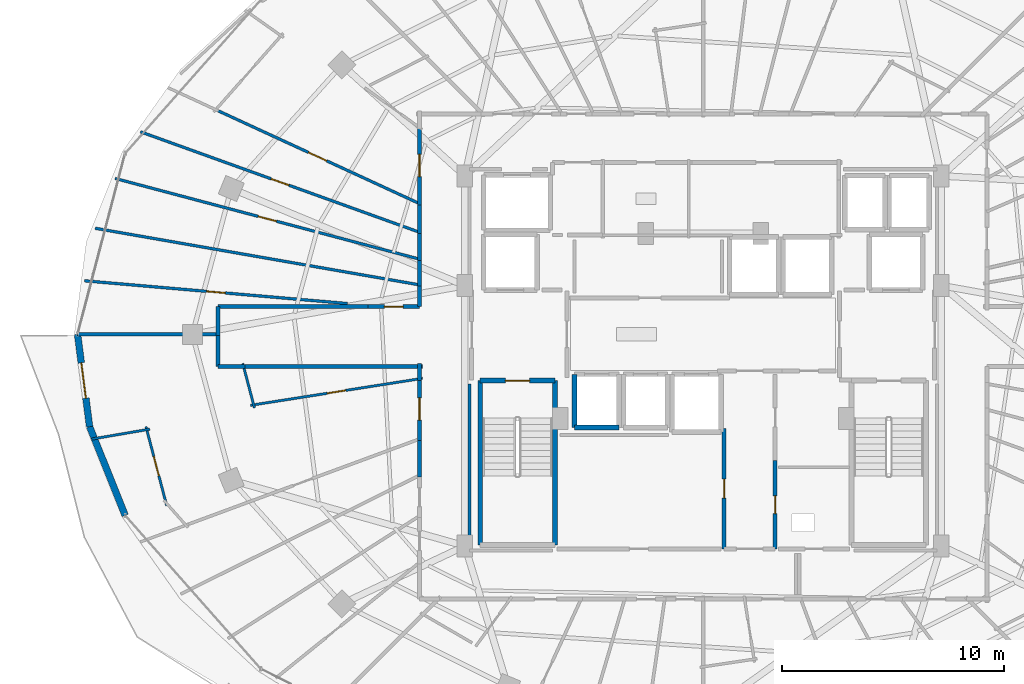
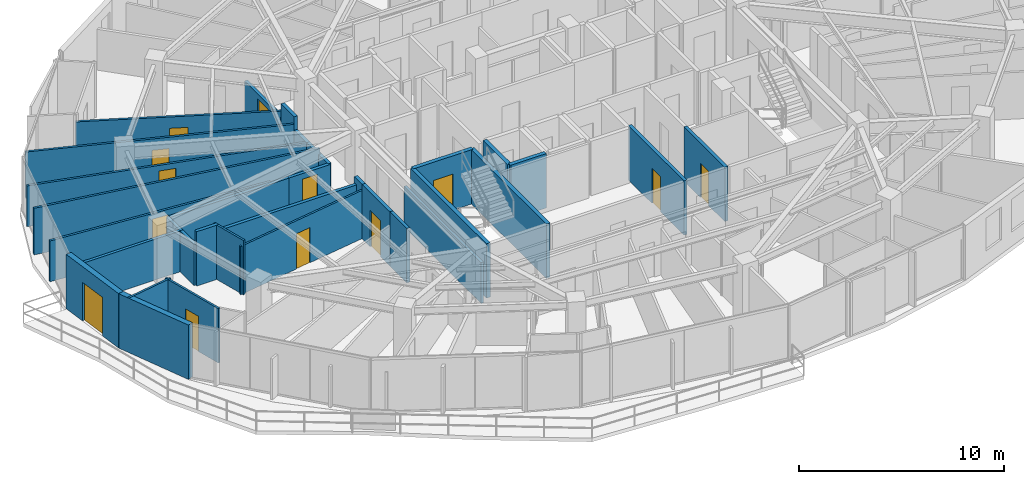
# One storey, part 25 of 34: 34 walls, 13 doors, 13 openings.
"""IFC4 building model written with IfcOpenShell, lengths in metres."""

import ifcopenshell
import ifcopenshell.guid

model = None  # the IFC model being written
_history = None  # IfcOwnerHistory: only IFC2X3 demands one
_inside = {}  # id of a spatial element -> (the spatial element, [elements in it])
_under = {}  # id of a project, library or spatial element -> (it, [spatial elements below it])
_declared = {}  # id of a project -> (the project, [libraries it declares])
_typed = {}  # id of a type object -> (the type object, [elements of that type])
_made_of = {}  # id of a material, layer set ... -> (it, [elements and type objects made of it])


def new_model(schema):
    """Start an empty IFC model of exactly this schema.

    Asked for "IFC4X3", IfcOpenShell would pick the latest addendum, in which some entities
    have other attributes; the version numbers below select the first issue.
    IFC2X3 requires an IfcOwnerHistory on every rooted entity: one is made here for all.
    """
    global model, _history
    if schema == "IFC4X3":
        model = ifcopenshell.file(schema_version=(4, 3, 0, 0))
    else:
        model = ifcopenshell.file(schema=schema)
    _inside.clear()
    _under.clear()
    _declared.clear()
    _typed.clear()
    _made_of.clear()
    _history = None
    if model.schema == "IFC2X3":
        org = make("IfcOrganization", Name="unknown")
        user = make(
            "IfcPersonAndOrganization",
            ThePerson=make("IfcPerson", FamilyName="unknown"),
            TheOrganization=org,
        )
        app = make(
            "IfcApplication",
            ApplicationDeveloper=org,
            Version="unknown",
            ApplicationFullName="unknown",
            ApplicationIdentifier="unknown",
        )
        _history = make(
            "IfcOwnerHistory",
            OwningUser=user,
            OwningApplication=app,
            ChangeAction="ADDED",
            CreationDate=0,
        )
    return model


def make(cls, **values):
    """One entity of the class cls with the attributes given. An attribute that is None is left unset."""
    return model.create_entity(
        cls, **{name: value for name, value in values.items() if value is not None}
    )


def rooted(cls, **values):
    """An entity with a GlobalId (a new one), such as an element, a storey or a relation."""
    return make(cls, GlobalId=ifcopenshell.guid.new(), OwnerHistory=_history, **values)


def si_unit(unit_type, name, prefix=None):
    """IfcSIUnit, for example si_unit("LENGTHUNIT", "METRE", prefix="MILLI")."""
    return make("IfcSIUnit", UnitType=unit_type, Prefix=prefix, Name=name)


def assignment(units):
    """IfcUnitAssignment: the units of a project."""
    return None if units is None else make("IfcUnitAssignment", Units=units)


def point(xyz):
    """IfcCartesianPoint."""
    return None if xyz is None else make("IfcCartesianPoint", Coordinates=xyz)


def direction(xyz):
    """IfcDirection."""
    return None if xyz is None else make("IfcDirection", DirectionRatios=xyz)


def frame(location, z_axis=None, x_axis=None):
    """IfcAxis2Placement3D, a coordinate frame: its origin and axes. An axis left out is left unset."""
    return make(
        "IfcAxis2Placement3D",
        Location=point(location),
        Axis=direction(z_axis),
        RefDirection=direction(x_axis),
    )


def frame_2d(location, x_axis=None):
    """IfcAxis2Placement2D, a coordinate frame in the plane: its origin and x axis."""
    return make(
        "IfcAxis2Placement2D", Location=point(location), RefDirection=direction(x_axis)
    )


def origin():
    """The frame at (0, 0, 0) with its axes left unset."""
    return frame((0.0, 0.0, 0.0))


def place(relative_to, where):
    """IfcLocalPlacement: puts the frame where relative to a parent placement (None: the world)."""
    return make(
        "IfcLocalPlacement", PlacementRelTo=relative_to, RelativePlacement=where
    )


def context(
    kind, dimensions, precision=None, world=None, true_north=None, identifier=None
):
    """IfcGeometricRepresentationContext, for example the 3D "Model" context."""
    return make(
        "IfcGeometricRepresentationContext",
        ContextIdentifier=identifier,
        ContextType=kind,
        CoordinateSpaceDimension=dimensions,
        Precision=precision,
        WorldCoordinateSystem=world,
        TrueNorth=true_north,
    )


def subcontext(parent, identifier, kind, view, scale=None):
    """IfcGeometricRepresentationSubContext, for example "Body" below "Model"."""
    return make(
        "IfcGeometricRepresentationSubContext",
        ContextIdentifier=identifier,
        ContextType=kind,
        ParentContext=parent,
        TargetScale=scale,
        TargetView=view,
    )


def project(units=None, contexts=None):
    """IfcProject with its units and contexts."""
    return rooted(
        "IfcProject",
        Name="project",
        RepresentationContexts=contexts,
        UnitsInContext=assignment(units),
    )


def spatial(cls, under=None, at=None, **own):
    """A site, building, storey or space (cls), placed at a placement, below another one or the project."""
    s = rooted(cls, ObjectPlacement=at, **own)
    if under is not None:
        _under.setdefault(under.id(), (under, []))[1].append(s)
    return s


def profile(cls, at=None, kind="AREA", **sizes):
    """A parametric profile (cls). Its sizes go by their IFC names, for example OverallWidth=200.0."""
    return make(cls, ProfileType=kind, Position=at, **sizes)


def rectangle(**sizes):
    """IfcRectangleProfileDef."""
    return profile("IfcRectangleProfileDef", **sizes)


def extrude(swept, where, along, depth):
    """IfcExtrudedAreaSolid: the profile swept, set in the frame where, extruded along a direction by depth."""
    return make(
        "IfcExtrudedAreaSolid",
        SweptArea=swept,
        Position=where,
        ExtrudedDirection=direction(along),
        Depth=depth,
    )


def shape(context_of_items, identifier, shape_type, items):
    """IfcShapeRepresentation: the items that make up one representation, for example the "Body"."""
    return make(
        "IfcShapeRepresentation",
        ContextOfItems=context_of_items,
        RepresentationIdentifier=identifier,
        RepresentationType=shape_type,
        Items=items,
    )


def material(Name=None, Category=None):
    """IfcMaterial."""
    return make("IfcMaterial", Name=Name, Category=Category)


def layer(
    of_material, thickness, ventilated=None, Name=None, Category=None, Priority=None
):
    """IfcMaterialLayer: one layer of a wall or slab, of a material (None: an air gap)."""
    return make(
        "IfcMaterialLayer",
        Material=of_material,
        LayerThickness=thickness,
        IsVentilated=ventilated,
        Name=Name,
        Category=Category,
        Priority=Priority,
    )


def layer_set(layers, Name=None):
    """IfcMaterialLayerSet."""
    return make("IfcMaterialLayerSet", MaterialLayers=layers, LayerSetName=Name)


def made_of(thing, what):
    """Note that an element or type object is made of a material, layer set ...; save() writes the relation."""
    if what is not None:
        _made_of.setdefault(what.id(), (what, []))[1].append(thing)
    return thing


def type_object(cls, material=None, **own):
    """A type object (cls), such as IfcWallType, which elements share."""
    return made_of(rooted(cls, **own), material)


def element(
    cls,
    number,
    at=None,
    inside=None,
    cuts=None,
    type_object=None,
    material=None,
    context=None,
    identifier="Body",
    shape_type=None,
    held_by="IfcProductDefinitionShape",
    body=None,
    shapes=None,
    **own,
):
    """One element of the class cls, such as IfcWall. Its Tag is "e" and its number.

    at: its placement. inside: the storey or other place that contains it. cuts: it is an
    opening in that element (IfcRelVoidsElement). A single representation is given by context,
    identifier, shape_type and body (its items); several are given by shapes. held_by: the class
    of the entity that holds the representations. save() writes the other relations.
    """
    e = rooted(cls, Tag="e%d" % number, ObjectPlacement=at, **own)
    if body is not None:
        shapes = [shape(context, identifier, shape_type, body)]
    if shapes is not None:
        e.Representation = make(held_by, Representations=shapes)
    if inside is not None:
        _inside.setdefault(inside.id(), (inside, []))[1].append(e)
    if cuts is not None:
        rooted(
            "IfcRelVoidsElement", RelatingBuildingElement=cuts, RelatedOpeningElement=e
        )
    if type_object is not None:
        _typed.setdefault(type_object.id(), (type_object, []))[1].append(e)
    return made_of(e, material)


def fill(opening, filler):
    """IfcRelFillsElement: the door or window that sits in an opening."""
    return rooted(
        "IfcRelFillsElement",
        RelatingOpeningElement=opening,
        RelatedBuildingElement=filler,
    )


def aggregate(whole, parts):
    """IfcRelAggregates: a whole, such as a stair, and the parts it consists of."""
    return rooted("IfcRelAggregates", RelatingObject=whole, RelatedObjects=parts)


def save(model, path):
    """Write the relations noted so far, then the file.

    IfcRelAggregates (storeys below a building ...), IfcRelContainedInSpatialStructure (elements
    in a storey), IfcRelDefinesByType, IfcRelAssociatesMaterial and IfcRelDeclares: one each for
    every whole, place, type object, material and project.
    """
    for whole, parts in _under.values():
        aggregate(whole, parts)
    for where, things in _inside.values():
        rooted(
            "IfcRelContainedInSpatialStructure",
            RelatedElements=things,
            RelatingStructure=where,
        )
    for kind, things in _typed.values():
        rooted("IfcRelDefinesByType", RelatedObjects=things, RelatingType=kind)
    for what, things in _made_of.values():
        rooted("IfcRelAssociatesMaterial", RelatedObjects=things, RelatingMaterial=what)
    for by, libraries in _declared.values():
        rooted("IfcRelDeclares", RelatingContext=by, RelatedDefinitions=libraries)
    model.write(path)


model = new_model("IFC4")

# Units and contexts
model_context = context("Model", 3, precision=1e-05, world=origin(), true_north=direction((0.0, 1.0)))
body_context = subcontext(model_context, "Body", "Model", "MODEL_VIEW")
ifc_project = project(units=[si_unit("LENGTHUNIT", "METRE"), si_unit("AREAUNIT", "SQUARE_METRE"), si_unit("VOLUMEUNIT", "CUBIC_METRE"), si_unit("PLANEANGLEUNIT", "RADIAN"), si_unit("MASSUNIT", "GRAM", prefix="KILO")], contexts=[model_context])

# Site, building, storey
site_placement = place(None, origin())
site = spatial("IfcSite", under=ifc_project, at=site_placement, CompositionType="ELEMENT")
building_placement = place(site_placement, origin())
building = spatial("IfcBuilding", under=site, at=building_placement, Name="Vorneva Point Tower", CompositionType="ELEMENT")
storey_placement = place(building_placement, frame((0.0, 0.0, 182.60009765625)))
storey = spatial("IfcBuildingStorey", under=building, at=storey_placement, Name="L49", CompositionType="ELEMENT", Elevation=182.60009765625)

# Wall, opening, door
ifc_material_1 = material(Name="Precast concrete B50 (C40/50)", Category="concrete")
ifc_layer_1 = layer(ifc_material_1, 0.300048828125)
ifc_layer_set_1 = layer_set([ifc_layer_1], Name="Precast concrete B50 (C40/50)")
wall_type_1 = type_object("IfcWallType", Name="WL-EXT-300", PredefinedType="STANDARD", material=ifc_layer_set_1)
wall_1_placement = place(storey_placement, frame((9.77001953125, 26.0, 0.0), z_axis=(0.0, 0.0, 1.0), x_axis=(0.129147853268, -0.991625348605, 0.0)))
wall_1 = element("IfcWall", 1, at=wall_1_placement, inside=storey, type_object=wall_type_1, Name="L49 Pale-Metal Facade Spandrel Wall 09.1", PredefinedType="STANDARD", context=body_context, shape_type="SweptSolid", body=[
    extrude(rectangle(XDim=4.200439453125, YDim=0.300048828125, at=frame_2d((2.10009765625, 0.0))), origin(), (0.0, 0.0, 1.0), 3.239990234375),
])
opening_1_placement = place(wall_1_placement, frame((1.30029296875, 0.0, 0.0)))
opening_1 = element("IfcOpeningElement", 2, at=opening_1_placement, cuts=wall_1, Name="Opening BD-01", PredefinedType="OPENING", context=body_context, shape_type="SweptSolid", body=[
    extrude(rectangle(XDim=1.60009765625, YDim=2.300048828125, at=frame_2d((0.800048828125, 1.14990234375))), frame((0.0, 0.1650390625, 0.0), z_axis=(0.0, -1.0, 0.0), x_axis=(1.0, 0.0, 0.0)), (0.0, 0.0, 1.0), 0.329833984375),
])
ifc_material_2 = material(Name="Pale anodised aluminium", Category="aluminium")
door_type_1 = type_object("IfcDoorType", Name="DR-BAL-1600", OperationType="SLIDING_TO_LEFT", PredefinedType="DOOR", material=ifc_material_2)
door_1_placement = place(opening_1_placement, origin())
door_1 = element("IfcDoor", 3, at=door_1_placement, inside=storey, type_object=door_type_1, Name="L49 Balcony Terrace Access Door 09", OperationType="SLIDING_TO_LEFT", OverallHeight=2.300048828125, OverallWidth=1.60009765625, PredefinedType="DOOR", context=body_context, shape_type="SweptSolid", body=[
    extrude(rectangle(XDim=1.60009765625, YDim=2.300048828125, at=frame_2d((0.800048828125, 1.14990234375))), frame((0.0, 0.02490234375, 0.0), z_axis=(0.0, -1.0, 0.0), x_axis=(1.0, 0.0, 0.0)), (0.0, 0.0, 1.0), 0.050048828125),
])
fill(opening_1, door_1)

# Wall
wall_2_placement = place(storey_placement, frame((10.3125, 21.834716796875, 0.0), z_axis=(0.0, 0.0, 1.0), x_axis=(0.372268409848, -0.928125116043, 0.0)))
element("IfcWall", 4, at=wall_2_placement, inside=storey, type_object=wall_type_1, Name="L49 Pale-Metal Facade Spandrel Wall 09.2", PredefinedType="STANDARD", context=body_context, shape_type="SweptSolid", body=[
    extrude(rectangle(XDim=4.315185546875, YDim=0.300048828125, at=frame_2d((2.15771484375, 0.0))), origin(), (0.0, 0.0, 1.0), 3.239990234375),
])

# Wall, opening, door
ifc_material_3 = material(Name="Fire-rated acoustic gypsum stud partition", Category="gypsum")
ifc_layer_2 = layer(ifc_material_3, 0.110107421875)
ifc_layer_set_2 = layer_set([ifc_layer_2], Name="Fire-rated acoustic gypsum stud partition")
wall_type_2 = type_object("IfcWallType", Name="WL-PART-110", PredefinedType="PARTITIONING", material=ifc_layer_set_2)
wall_3_placement = place(storey_placement, frame((25.33837890625, 24.0146484375, 0.0), z_axis=(0.0, 0.0, 1.0), x_axis=(-0.987940229144, -0.154835731144, 0.0)))
wall_3 = element("IfcWall", 5, at=wall_3_placement, inside=storey, type_object=wall_type_2, Name="L49 Interior Partition 143", PredefinedType="PARTITIONING", context=body_context, shape_type="SweptSolid", body=[
    extrude(rectangle(XDim=7.85546875, YDim=0.110107421875, at=frame_2d((3.927734375, 0.0))), origin(), (0.0, 0.0, 1.0), 2.8740234375),
])
opening_2_placement = place(wall_3_placement, frame((3.502685546875, 0.0, 0.0)))
opening_2 = element("IfcOpeningElement", 6, at=opening_2_placement, cuts=wall_3, Name="Opening ID-02", PredefinedType="OPENING", context=body_context, shape_type="SweptSolid", body=[
    extrude(rectangle(XDim=0.85009765625, YDim=2.10009765625, at=frame_2d((0.425048828125, 1.050048828125))), frame((0.0, 0.06982421875, 0.0), z_axis=(0.0, -1.0, 0.0), x_axis=(1.0, 0.0, 0.0)), (0.0, 0.0, 1.0), 0.139892578125),
])
ifc_material_4 = material(Name="Engineered oak fire-rated door leaf", Category="wood")
door_type_2 = type_object("IfcDoorType", Name="DR-BATH-850", OperationType="NOTDEFINED", PredefinedType="DOOR", material=ifc_material_4)
door_2_placement = place(opening_2_placement, origin())
door_2 = element("IfcDoor", 7, at=door_2_placement, inside=storey, type_object=door_type_2, Name="L49 Door Living and Dining Room L49-05 / Bathroom L49-05", OperationType="SINGLE_SWING_LEFT", OverallHeight=2.10009765625, OverallWidth=0.85009765625, PredefinedType="DOOR", context=body_context, shape_type="SweptSolid", body=[
    extrude(rectangle(XDim=0.85009765625, YDim=2.10009765625, at=frame_2d((0.425048828125, 1.050048828125))), frame((0.0, 0.02490234375, 0.0), z_axis=(0.0, -1.0, 0.0), x_axis=(1.0, 0.0, 0.0)), (0.0, 0.0, 1.0), 0.050048828125),
])
fill(opening_2, door_2)

# Walls
wall_4_placement = place(storey_placement, frame((17.751708984375, 22.6845703125, 0.0), z_axis=(0.0, 0.0, 1.0), x_axis=(-0.254429402158, 0.967091350038, 0.0)))
element("IfcWall", 8, at=wall_4_placement, inside=storey, type_object=wall_type_2, Name="L49 Interior Partition 144", PredefinedType="PARTITIONING", context=body_context, shape_type="SweptSolid", body=[
    extrude(rectangle(XDim=2.06884765625, YDim=0.110107421875, at=frame_2d((1.034423828125, 0.0))), origin(), (0.0, 0.0, 1.0), 3.239990234375),
])
wall_5_placement = place(storey_placement, frame((10.39404296875, 21.271484375, 0.0), z_axis=(0.0, 0.0, 1.0), x_axis=(0.985656128296, 0.168766100722, 0.0)))
element("IfcWall", 9, at=wall_5_placement, inside=storey, type_object=wall_type_2, Name="L49 Interior Partition 145", PredefinedType="PARTITIONING", context=body_context, shape_type="SweptSolid", body=[
    extrude(rectangle(XDim=2.67333984375, YDim=0.110107421875, at=frame_2d((1.336669921875, 0.0))), origin(), (0.0, 0.0, 1.0), 3.239990234375),
])

# Wall, opening, door
wall_6_placement = place(storey_placement, frame((12.85546875, 21.83447265625, 0.0), z_axis=(0.0, 0.0, 1.0), x_axis=(0.254271540361, -0.967132867688, 0.0)))
wall_6 = element("IfcWall", 10, at=wall_6_placement, inside=storey, type_object=wall_type_2, Name="L49 Interior Partition 146", PredefinedType="PARTITIONING", context=body_context, shape_type="SweptSolid", body=[
    extrude(rectangle(XDim=3.68505859375, YDim=0.110107421875, at=frame_2d((1.842529296875, 0.0))), origin(), (0.0, 0.0, 1.0), 3.239990234375),
])
opening_3_placement = place(wall_6_placement, frame((1.392578125, 0.0, 0.0)))
opening_3 = element("IfcOpeningElement", 11, at=opening_3_placement, cuts=wall_6, Name="Opening ID-01", PredefinedType="OPENING", context=body_context, shape_type="SweptSolid", body=[
    extrude(rectangle(XDim=0.89990234375, YDim=2.10009765625, at=frame_2d((0.449951171875, 1.050048828125))), frame((0.0, 0.06982421875, 0.0), z_axis=(0.0, -1.0, 0.0), x_axis=(1.0, 0.0, 0.0)), (0.0, 0.0, 1.0), 0.139892578125),
])
door_type_3 = type_object("IfcDoorType", Name="DR-ROOM-900", OperationType="NOTDEFINED", PredefinedType="DOOR", material=ifc_material_4)
door_3_placement = place(opening_3_placement, origin())
door_3 = element("IfcDoor", 12, at=door_3_placement, inside=storey, type_object=door_type_3, Name="L49 Door Living and Dining Room L49-05 / Kitchen L49-05", OperationType="SINGLE_SWING_RIGHT", OverallHeight=2.10009765625, OverallWidth=0.89990234375, PredefinedType="DOOR", context=body_context, shape_type="SweptSolid", body=[
    extrude(rectangle(XDim=0.89990234375, YDim=2.10009765625, at=frame_2d((0.449951171875, 1.050048828125))), frame((0.0, 0.02490234375, 0.0), z_axis=(0.0, -1.0, 0.0), x_axis=(1.0, 0.0, 0.0)), (0.0, 0.0, 1.0), 0.050048828125),
])
fill(opening_3, door_3)

ifc_layer_3 = layer(ifc_material_3, 0.125)
ifc_layer_set_3 = layer_set([ifc_layer_3], Name="Fire-rated acoustic gypsum stud partition")
wall_type_3 = type_object("IfcWallType", Name="WL-PART-125", PredefinedType="PARTITIONING", material=ifc_layer_set_3)
wall_7_placement = place(storey_placement, frame((16.006103515625, 36.138916015625, 0.0), z_axis=(0.0, 0.0, 1.0), x_axis=(0.908157621609, -0.41862839645, 0.0)))
wall_7 = element("IfcWall", 13, at=wall_7_placement, inside=storey, type_object=wall_type_3, Name="L49 Interior Partition 136", PredefinedType="PARTITIONING", context=body_context, shape_type="SweptSolid", body=[
    extrude(rectangle(XDim=10.12353515625, YDim=0.125, at=frame_2d((5.061767578125, 0.0))), origin(), (0.0, 0.0, 1.0), 2.77392578125),
])
opening_4_placement = place(wall_7_placement, frame((4.61181640625, 0.0, 0.0)))
opening_4 = element("IfcOpeningElement", 14, at=opening_4_placement, cuts=wall_7, Name="Opening ID-01", PredefinedType="OPENING", context=body_context, shape_type="SweptSolid", body=[
    extrude(rectangle(XDim=0.89990234375, YDim=2.10009765625, at=frame_2d((0.449951171875, 1.050048828125))), frame((0.0, 0.077392578125, 0.0), z_axis=(0.0, -1.0, 0.0), x_axis=(1.0, 0.0, 0.0)), (0.0, 0.0, 1.0), 0.15478515625),
])
door_4_placement = place(opening_4_placement, origin())
door_4 = element("IfcDoor", 15, at=door_4_placement, inside=storey, type_object=door_type_3, Name="L49 Door Living and Dining Room L49-04 / Master Bedroom L49-04.1", OperationType="SINGLE_SWING_RIGHT", OverallHeight=2.10009765625, OverallWidth=0.89990234375, PredefinedType="DOOR", context=body_context, shape_type="SweptSolid", body=[
    extrude(rectangle(XDim=0.89990234375, YDim=2.10009765625, at=frame_2d((0.449951171875, 1.050048828125))), frame((0.0, 0.02490234375, 0.0), z_axis=(0.0, -1.0, 0.0), x_axis=(1.0, 0.0, 0.0)), (0.0, 0.0, 1.0), 0.050048828125),
])
fill(opening_4, door_4)

wall_8_placement = place(storey_placement, frame((12.60888671875, 35.14111328125, 0.0), z_axis=(0.0, 0.0, 1.0), x_axis=(0.940877411069, -0.338747246985, 0.0)))
wall_8 = element("IfcWall", 16, at=wall_8_placement, inside=storey, type_object=wall_type_3, Name="L49 Interior Partition 138", PredefinedType="PARTITIONING", context=body_context, shape_type="SweptSolid", body=[
    extrude(rectangle(XDim=13.38232421875, YDim=0.125, at=frame_2d((6.691162109375, 0.0))), origin(), (0.0, 0.0, 1.0), 2.77392578125),
])
opening_5_placement = place(wall_8_placement, frame((6.26611328125, 0.0, 0.0)))
opening_5 = element("IfcOpeningElement", 17, at=opening_5_placement, cuts=wall_8, Name="Opening ID-02", PredefinedType="OPENING", context=body_context, shape_type="SweptSolid", body=[
    extrude(rectangle(XDim=0.85009765625, YDim=2.10009765625, at=frame_2d((0.425048828125, 1.050048828125))), frame((0.0, 0.077392578125, 0.0), z_axis=(0.0, -1.0, 0.0), x_axis=(1.0, 0.0, 0.0)), (0.0, 0.0, 1.0), 0.15478515625),
])
door_5_placement = place(opening_5_placement, origin())
door_5 = element("IfcDoor", 18, at=door_5_placement, inside=storey, type_object=door_type_2, Name="L49 Access Door Master Bedroom L49-04.1", OperationType="SINGLE_SWING_RIGHT", OverallHeight=2.10009765625, OverallWidth=0.85009765625, PredefinedType="DOOR", context=body_context, shape_type="SweptSolid", body=[
    extrude(rectangle(XDim=0.85009765625, YDim=2.10009765625, at=frame_2d((0.425048828125, 1.050048828125))), frame((0.0, 0.02490234375, 0.0), z_axis=(0.0, -1.0, 0.0), x_axis=(1.0, 0.0, 0.0)), (0.0, 0.0, 1.0), 0.050048828125),
])
fill(opening_5, door_5)

wall_9_placement = place(storey_placement, frame((11.465087890625, 33.035888671875, 0.0), z_axis=(0.0, 0.0, 1.0), x_axis=(0.966598137313, -0.256296782934, 0.0)))
wall_9 = element("IfcWall", 19, at=wall_9_placement, inside=storey, type_object=wall_type_3, Name="L49 Interior Partition 139", PredefinedType="PARTITIONING", context=body_context, shape_type="SweptSolid", body=[
    extrude(rectangle(XDim=14.20947265625, YDim=0.125, at=frame_2d((7.104736328125, 0.0))), origin(), (0.0, 0.0, 1.0), 2.431884765625),
])
opening_6_placement = place(wall_9_placement, frame((6.6796875, 0.0, 0.0)))
opening_6 = element("IfcOpeningElement", 20, at=opening_6_placement, cuts=wall_9, Name="Opening ID-02", PredefinedType="OPENING", context=body_context, shape_type="SweptSolid", body=[
    extrude(rectangle(XDim=0.85009765625, YDim=2.10009765625, at=frame_2d((0.425048828125, 1.050048828125))), frame((0.0, 0.077392578125, 0.0), z_axis=(0.0, -1.0, 0.0), x_axis=(1.0, 0.0, 0.0)), (0.0, 0.0, 1.0), 0.15478515625),
])
door_6_placement = place(opening_6_placement, origin())
door_6 = element("IfcDoor", 21, at=door_6_placement, inside=storey, type_object=door_type_2, Name="L49 Access Door Bedroom L49-04.2", OperationType="SINGLE_SWING_LEFT", OverallHeight=2.10009765625, OverallWidth=0.85009765625, PredefinedType="DOOR", context=body_context, shape_type="SweptSolid", body=[
    extrude(rectangle(XDim=0.85009765625, YDim=2.10009765625, at=frame_2d((0.425048828125, 1.050048828125))), frame((0.0, 0.02490234375, 0.0), z_axis=(0.0, -1.0, 0.0), x_axis=(1.0, 0.0, 0.0)), (0.0, 0.0, 1.0), 0.050048828125),
])
fill(opening_6, door_6)

# Wall
wall_10_placement = place(storey_placement, frame((10.56494140625, 30.7880859375, 0.0), z_axis=(0.0, 0.0, 1.0), x_axis=(0.985109541297, -0.171927867563, 0.0)))
element("IfcWall", 22, at=wall_10_placement, inside=storey, type_object=wall_type_3, Name="L49 Interior Partition 140", PredefinedType="PARTITIONING", context=body_context, shape_type="SweptSolid", body=[
    extrude(rectangle(XDim=14.856201171875, YDim=0.125, at=frame_2d((7.42822265625, 0.0))), origin(), (0.0, 0.0, 1.0), 2.77392578125),
])

# Wall, opening, door
wall_11_placement = place(storey_placement, frame((10.0859375, 28.41796875, 0.0), z_axis=(0.0, 0.0, 1.0), x_axis=(0.996267232338, -0.08632266081, 0.0)))
wall_11 = element("IfcWall", 23, at=wall_11_placement, inside=storey, type_object=wall_type_3, Name="L49 Interior Partition 141", PredefinedType="PARTITIONING", context=body_context, shape_type="SweptSolid", body=[
    extrude(rectangle(XDim=11.90966796875, YDim=0.125, at=frame_2d((5.954833984375, 0.0))), origin(), (0.0, 0.0, 1.0), 2.431884765625),
])
opening_7_placement = place(wall_11_placement, frame((5.52978515625, 0.0, 0.0)))
opening_7 = element("IfcOpeningElement", 24, at=opening_7_placement, cuts=wall_11, Name="Opening ID-02", PredefinedType="OPENING", context=body_context, shape_type="SweptSolid", body=[
    extrude(rectangle(XDim=0.85009765625, YDim=2.10009765625, at=frame_2d((0.425048828125, 1.050048828125))), frame((0.0, 0.077392578125, 0.0), z_axis=(0.0, -1.0, 0.0), x_axis=(1.0, 0.0, 0.0)), (0.0, 0.0, 1.0), 0.15478515625),
])
door_7_placement = place(opening_7_placement, origin())
door_7 = element("IfcDoor", 25, at=door_7_placement, inside=storey, type_object=door_type_2, Name="L49 Access Door Bedroom L49-04.4", OperationType="SINGLE_SWING_RIGHT", OverallHeight=2.10009765625, OverallWidth=0.85009765625, PredefinedType="DOOR", context=body_context, shape_type="SweptSolid", body=[
    extrude(rectangle(XDim=0.85009765625, YDim=2.10009765625, at=frame_2d((0.425048828125, 1.050048828125))), frame((0.0, 0.02490234375, 0.0), z_axis=(0.0, -1.0, 0.0), x_axis=(1.0, 0.0, 0.0)), (0.0, 0.0, 1.0), 0.050048828125),
])
fill(opening_7, door_7)

# Walls
ifc_layer_4 = layer(ifc_material_3, 0.139892578125)
ifc_layer_set_4 = layer_set([ifc_layer_4], Name="Fire-rated acoustic gypsum stud partition")
wall_type_4 = type_object("IfcWallType", Name="WL-PART-140", PredefinedType="PARTITIONING", material=ifc_layer_set_4)
wall_12_placement = place(storey_placement, frame((27.449951171875, 23.75390625, 0.0), z_axis=(0.0, 0.0, 1.0), x_axis=(0.0, -1.0, 0.0)))
element("IfcWall", 26, at=wall_12_placement, inside=storey, type_object=wall_type_4, Name="L49 Interior Closure Partition 204", PredefinedType="PARTITIONING", context=body_context, shape_type="SweptSolid", body=[
    extrude(rectangle(XDim=7.513916015625, YDim=0.139892578125, at=frame_2d((3.7568359375, 0.0))), origin(), (0.0, 0.0, 1.0), 2.431884765625),
])
ifc_layer_5 = layer(ifc_material_3, 0.159912109375)
ifc_layer_set_5 = layer_set([ifc_layer_5], Name="Fire-rated acoustic gypsum stud partition")
wall_type_5 = type_object("IfcWallType", Name="WL-PART-160", PredefinedType="PARTITIONING", material=ifc_layer_set_5)
wall_13_placement = place(storey_placement, frame((9.77099609375, 26.0, 0.0), z_axis=(0.0, 0.0, 1.0), x_axis=(1.0, 0.0, 0.0)))
element("IfcWall", 27, at=wall_13_placement, inside=storey, type_object=wall_type_5, Name="L49 Interior Partition 142", PredefinedType="PARTITIONING", context=body_context, shape_type="SweptSolid", body=[
    extrude(rectangle(XDim=6.3291015625, YDim=0.159912109375, at=frame_2d((3.16455078125, 0.0))), origin(), (0.0, 0.0, 1.0), 2.431884765625),
])

# Wall, opening, door
ifc_material_5 = material(Name="Autoclaved aerated concrete blockwork", Category="masonry")
ifc_layer_6 = layer(ifc_material_5, 0.179931640625)
ifc_layer_set_6 = layer_set([ifc_layer_6], Name="Autoclaved aerated concrete blockwork")
wall_type_6 = type_object("IfcWallType", Name="WL-PART-180", PredefinedType="PARTITIONING", material=ifc_layer_set_6)
wall_14_placement = place(storey_placement, frame((41.25, 16.320068359375, 0.0), z_axis=(0.0, 0.0, 1.0), x_axis=(0.0, 1.0, 0.0)))
wall_14 = element("IfcWall", 28, at=wall_14_placement, inside=storey, type_object=wall_type_6, Name="L49 Interior Partition 013", PredefinedType="PARTITIONING", context=body_context, shape_type="SweptSolid", body=[
    extrude(rectangle(XDim=3.98486328125, YDim=0.179931640625, at=frame_2d((1.992431640625, 0.0))), origin(), (0.0, 0.0, 1.0), 3.239990234375),
])
opening_8_placement = place(wall_14_placement, frame((1.592529296875, 0.0, 0.0)))
opening_8 = element("IfcOpeningElement", 29, at=opening_8_placement, cuts=wall_14, Name="Opening RD-01", PredefinedType="OPENING", context=body_context, shape_type="SweptSolid", body=[
    extrude(rectangle(XDim=0.800048828125, YDim=2.050048828125, at=frame_2d((0.39990234375, 1.02490234375))), frame((0.0, 0.10498046875, 0.0), z_axis=(0.0, -1.0, 0.0), x_axis=(1.0, 0.0, 0.0)), (0.0, 0.0, 1.0), 0.209716796875),
])
ifc_material_6 = material(Name="Fire-rated powder-coated steel", Category="steel")
door_type_4 = type_object("IfcDoorType", Name="DR-RSR-800", OperationType="SINGLE_SWING_LEFT", PredefinedType="DOOR", material=ifc_material_6)
door_8_placement = place(opening_8_placement, origin())
door_8 = element("IfcDoor", 30, at=door_8_placement, inside=storey, type_object=door_type_4, Name="L49 Door Core Service Lobby / Electrical Riser", OperationType="SINGLE_SWING_RIGHT", OverallHeight=2.050048828125, OverallWidth=0.800048828125, PredefinedType="DOOR", context=body_context, shape_type="SweptSolid", body=[
    extrude(rectangle(XDim=0.800048828125, YDim=2.050048828125, at=frame_2d((0.39990234375, 1.02490234375))), frame((0.0, 0.02490234375, 0.0), z_axis=(0.0, -1.0, 0.0), x_axis=(1.0, 0.0, 0.0)), (0.0, 0.0, 1.0), 0.050048828125),
])
fill(opening_8, door_8)

wall_15_placement = place(storey_placement, frame((38.949951171875, 21.7548828125, 0.0), z_axis=(0.0, 0.0, 1.0), x_axis=(0.0, -1.0, 0.0)))
wall_15 = element("IfcWall", 31, at=wall_15_placement, inside=storey, type_object=wall_type_6, Name="L49 Interior Partition 015", PredefinedType="PARTITIONING", context=body_context, shape_type="SweptSolid", body=[
    extrude(rectangle(XDim=5.434814453125, YDim=0.179931640625, at=frame_2d((2.71728515625, 0.0))), origin(), (0.0, 0.0, 1.0), 3.239990234375),
])
opening_9_placement = place(wall_15_placement, frame((2.29248046875, 0.0, 0.0)))
opening_9 = element("IfcOpeningElement", 32, at=opening_9_placement, cuts=wall_15, Name="Opening ID-02", PredefinedType="OPENING", context=body_context, shape_type="SweptSolid", body=[
    extrude(rectangle(XDim=0.85009765625, YDim=2.10009765625, at=frame_2d((0.425048828125, 1.050048828125))), frame((0.0, 0.10498046875, 0.0), z_axis=(0.0, -1.0, 0.0), x_axis=(1.0, 0.0, 0.0)), (0.0, 0.0, 1.0), 0.209716796875),
])
door_9_placement = place(opening_9_placement, origin())
door_9 = element("IfcDoor", 33, at=door_9_placement, inside=storey, type_object=door_type_2, Name="L49 Door Core Service Lobby / Floor Storage Room", OperationType="SINGLE_SWING_RIGHT", OverallHeight=2.10009765625, OverallWidth=0.85009765625, PredefinedType="DOOR", context=body_context, shape_type="SweptSolid", body=[
    extrude(rectangle(XDim=0.85009765625, YDim=2.10009765625, at=frame_2d((0.425048828125, 1.050048828125))), frame((0.0, 0.02490234375, 0.0), z_axis=(0.0, -1.0, 0.0), x_axis=(1.0, 0.0, 0.0)), (0.0, 0.0, 1.0), 0.050048828125),
])
fill(opening_9, door_9)

wall_16_placement = place(storey_placement, frame((25.199951171875, 35.404052734375, 0.0), z_axis=(0.0, 0.0, 1.0), x_axis=(0.0, -1.0, 0.0)))
wall_16 = element("IfcWall", 34, at=wall_16_placement, inside=storey, type_object=wall_type_6, Name="L49 Interior Partition 048", PredefinedType="PARTITIONING", context=body_context, shape_type="SweptSolid", body=[
    extrude(rectangle(XDim=3.56298828125, YDim=0.179931640625, at=frame_2d((1.781494140625, 0.0))), origin(), (0.0, 0.0, 1.0), 2.431884765625),
])
opening_10_placement = place(wall_16_placement, frame((1.281494140625, 0.0, 0.0)))
opening_10 = element("IfcOpeningElement", 35, at=opening_10_placement, cuts=wall_16, Name="Opening UD-01", PredefinedType="OPENING", context=body_context, shape_type="SweptSolid", body=[
    extrude(rectangle(XDim=1.0, YDim=2.14990234375, at=frame_2d((0.5, 1.074951171875))), frame((0.0, 0.10498046875, 0.0), z_axis=(0.0, -1.0, 0.0), x_axis=(1.0, 0.0, 0.0)), (0.0, 0.0, 1.0), 0.209716796875),
])
door_type_5 = type_object("IfcDoorType", Name="DR-UNIT-1000", OperationType="NOTDEFINED", PredefinedType="DOOR", material=ifc_material_4)
door_10_placement = place(opening_10_placement, origin())
door_10 = element("IfcDoor", 36, at=door_10_placement, inside=storey, type_object=door_type_5, Name="L49 Door L49 Circulation Corridor / Living and Dining Room L49-04", OperationType="SINGLE_SWING_RIGHT", OverallHeight=2.14990234375, OverallWidth=1.0, PredefinedType="DOOR", context=body_context, shape_type="SweptSolid", body=[
    extrude(rectangle(XDim=1.0, YDim=2.14990234375, at=frame_2d((0.5, 1.074951171875))), frame((0.0, 0.02490234375, 0.0), z_axis=(0.0, -1.0, 0.0), x_axis=(1.0, 0.0, 0.0)), (0.0, 0.0, 1.0), 0.050048828125),
])
fill(opening_10, door_10)

# Walls
wall_17_placement = place(storey_placement, frame((25.199951171875, 31.841064453125, 0.0), z_axis=(0.0, 0.0, 1.0), x_axis=(0.0, -1.0, 0.0)))
element("IfcWall", 37, at=wall_17_placement, inside=storey, type_object=wall_type_6, Name="L49 Interior Partition 051", PredefinedType="PARTITIONING", context=body_context, shape_type="SweptSolid", body=[
    extrude(rectangle(XDim=1.29296875, YDim=0.179931640625, at=frame_2d((0.646484375, 0.0))), origin(), (0.0, 0.0, 1.0), 3.239990234375),
])
wall_18_placement = place(storey_placement, frame((25.199951171875, 30.548095703125, 0.0), z_axis=(0.0, 0.0, 1.0), x_axis=(0.0, -1.0, 0.0)))
element("IfcWall", 38, at=wall_18_placement, inside=storey, type_object=wall_type_6, Name="L49 Interior Partition 052", PredefinedType="PARTITIONING", context=body_context, shape_type="SweptSolid", body=[
    extrude(rectangle(XDim=1.214111328125, YDim=0.179931640625, at=frame_2d((0.60693359375, 0.0))), origin(), (0.0, 0.0, 1.0), 2.431884765625),
])
wall_19_placement = place(storey_placement, frame((25.199951171875, 29.333984375, 0.0), z_axis=(0.0, 0.0, 1.0), x_axis=(0.0, -1.0, 0.0)))
element("IfcWall", 39, at=wall_19_placement, inside=storey, type_object=wall_type_6, Name="L49 Interior Partition 053", PredefinedType="PARTITIONING", context=body_context, shape_type="SweptSolid", body=[
    extrude(rectangle(XDim=1.159912109375, YDim=0.179931640625, at=frame_2d((0.580078125, 0.0))), origin(), (0.0, 0.0, 1.0), 2.431884765625),
])
wall_20_placement = place(storey_placement, frame((25.199951171875, 28.174072265625, 0.0), z_axis=(0.0, 0.0, 1.0), x_axis=(0.0, -1.0, 0.0)))
element("IfcWall", 40, at=wall_20_placement, inside=storey, type_object=wall_type_6, Name="L49 Interior Partition 054", PredefinedType="PARTITIONING", context=body_context, shape_type="SweptSolid", body=[
    extrude(rectangle(XDim=0.924072265625, YDim=0.179931640625, at=frame_2d((0.4619140625, 0.0))), origin(), (0.0, 0.0, 1.0), 2.431884765625),
])

# Wall, opening, door
wall_21_placement = place(storey_placement, frame((25.199951171875, 27.25, 0.0), z_axis=(0.0, 0.0, 1.0), x_axis=(-1.0, 0.0, 0.0)))
wall_21 = element("IfcWall", 41, at=wall_21_placement, inside=storey, type_object=wall_type_6, Name="L49 Interior Partition 055", PredefinedType="PARTITIONING", context=body_context, shape_type="SweptSolid", body=[
    extrude(rectangle(XDim=2.327880859375, YDim=0.179931640625, at=frame_2d((1.1640625, 0.0))), origin(), (0.0, 0.0, 1.0), 2.431884765625),
])
opening_11_placement = place(wall_21_placement, frame((0.739013671875, 0.0, 0.0)))
opening_11 = element("IfcOpeningElement", 42, at=opening_11_placement, cuts=wall_21, Name="Opening ID-02", PredefinedType="OPENING", context=body_context, shape_type="SweptSolid", body=[
    extrude(rectangle(XDim=0.85009765625, YDim=2.10009765625, at=frame_2d((0.425048828125, 1.050048828125))), frame((0.0, 0.10498046875, 0.0), z_axis=(0.0, -1.0, 0.0), x_axis=(1.0, 0.0, 0.0)), (0.0, 0.0, 1.0), 0.209716796875),
])
door_11_placement = place(opening_11_placement, origin())
door_11 = element("IfcDoor", 43, at=door_11_placement, inside=storey, type_object=door_type_2, Name="L49 Access Door L49 Circulation Corridor", OperationType="SINGLE_SWING_RIGHT", OverallHeight=2.10009765625, OverallWidth=0.85009765625, PredefinedType="DOOR", context=body_context, shape_type="SweptSolid", body=[
    extrude(rectangle(XDim=0.85009765625, YDim=2.10009765625, at=frame_2d((0.425048828125, 1.050048828125))), frame((0.0, 0.02490234375, 0.0), z_axis=(0.0, -1.0, 0.0), x_axis=(1.0, 0.0, 0.0)), (0.0, 0.0, 1.0), 0.050048828125),
])
fill(opening_11, door_11)

# Walls
wall_22_placement = place(storey_placement, frame((16.10009765625, 27.25, 0.0), z_axis=(0.0, 0.0, 1.0), x_axis=(0.0, -1.0, 0.0)))
element("IfcWall", 44, at=wall_22_placement, inside=storey, type_object=wall_type_6, Name="L49 Interior Partition 056", PredefinedType="PARTITIONING", context=body_context, shape_type="SweptSolid", body=[
    extrude(rectangle(XDim=1.31005859375, YDim=0.179931640625, at=frame_2d((0.655029296875, 0.0))), origin(), (0.0, 0.0, 1.0), 2.431884765625),
])
wall_23_placement = place(storey_placement, frame((22.8720703125, 27.25, 0.0), z_axis=(0.0, 0.0, 1.0), x_axis=(-1.0, 0.0, 0.0)))
element("IfcWall", 45, at=wall_23_placement, inside=storey, type_object=wall_type_6, Name="L49 Interior Partition 057", PredefinedType="PARTITIONING", context=body_context, shape_type="SweptSolid", body=[
    extrude(rectangle(XDim=6.77197265625, YDim=0.179931640625, at=frame_2d((3.385986328125, 0.0))), origin(), (0.0, 0.0, 1.0), 2.431884765625),
])
wall_24_placement = place(storey_placement, frame((16.10009765625, 25.93994140625, 0.0), z_axis=(0.0, 0.0, 1.0), x_axis=(0.0, -1.0, 0.0)))
element("IfcWall", 46, at=wall_24_placement, inside=storey, type_object=wall_type_6, Name="L49 Interior Partition 058", PredefinedType="PARTITIONING", context=body_context, shape_type="SweptSolid", body=[
    extrude(rectangle(XDim=1.389892578125, YDim=0.179931640625, at=frame_2d((0.69482421875, 0.0))), origin(), (0.0, 0.0, 1.0), 2.431884765625),
])
wall_25_placement = place(storey_placement, frame((16.10009765625, 24.550048828125, 0.0), z_axis=(0.0, 0.0, 1.0), x_axis=(1.0, 0.0, 0.0)))
element("IfcWall", 47, at=wall_25_placement, inside=storey, type_object=wall_type_6, Name="L49 Interior Partition 059", PredefinedType="PARTITIONING", context=body_context, shape_type="SweptSolid", body=[
    extrude(rectangle(XDim=1.222900390625, YDim=0.179931640625, at=frame_2d((0.611328125, 0.0))), origin(), (0.0, 0.0, 1.0), 3.239990234375),
])

# Wall, opening, door
wall_26_placement = place(storey_placement, frame((25.199951171875, 24.052978515625, 0.0), z_axis=(0.0, 0.0, 1.0), x_axis=(0.0, -1.0, 0.0)))
wall_26 = element("IfcWall", 48, at=wall_26_placement, inside=storey, type_object=wall_type_6, Name="L49 Interior Partition 060", PredefinedType="PARTITIONING", context=body_context, shape_type="SweptSolid", body=[
    extrude(rectangle(XDim=2.8388671875, YDim=0.179931640625, at=frame_2d((1.41943359375, 0.0))), origin(), (0.0, 0.0, 1.0), 3.239990234375),
])
opening_12_placement = place(wall_26_placement, frame((0.91943359375, 0.0, 0.0)))
opening_12 = element("IfcOpeningElement", 49, at=opening_12_placement, cuts=wall_26, Name="Opening UD-01", PredefinedType="OPENING", context=body_context, shape_type="SweptSolid", body=[
    extrude(rectangle(XDim=1.0, YDim=2.14990234375, at=frame_2d((0.5, 1.074951171875))), frame((0.0, 0.10498046875, 0.0), z_axis=(0.0, -1.0, 0.0), x_axis=(1.0, 0.0, 0.0)), (0.0, 0.0, 1.0), 0.209716796875),
])
door_12_placement = place(opening_12_placement, origin())
door_12 = element("IfcDoor", 50, at=door_12_placement, inside=storey, type_object=door_type_5, Name="L49 Door L49 Circulation Corridor / Living and Dining Room L49-05", OperationType="SINGLE_SWING_LEFT", OverallHeight=2.14990234375, OverallWidth=1.0, PredefinedType="DOOR", context=body_context, shape_type="SweptSolid", body=[
    extrude(rectangle(XDim=1.0, YDim=2.14990234375, at=frame_2d((0.5, 1.074951171875))), frame((0.0, 0.02490234375, 0.0), z_axis=(0.0, -1.0, 0.0), x_axis=(1.0, 0.0, 0.0)), (0.0, 0.0, 1.0), 0.050048828125),
])
fill(opening_12, door_12)

# Walls
wall_27_placement = place(storey_placement, frame((17.18310546875, 24.550048828125, 0.0), z_axis=(0.0, 0.0, 1.0), x_axis=(1.0, 0.0, 0.0)))
element("IfcWall", 51, at=wall_27_placement, inside=storey, type_object=wall_type_6, Name="L49 Interior Partition 061", PredefinedType="PARTITIONING", context=body_context, shape_type="SweptSolid", body=[
    extrude(rectangle(XDim=8.156982421875, YDim=0.179931640625, at=frame_2d((4.07861328125, 0.0))), origin(), (0.0, 0.0, 1.0), 2.8740234375),
])
wall_28_placement = place(storey_placement, frame((25.199951171875, 24.68994140625, 0.0), z_axis=(0.0, 0.0, 1.0), x_axis=(0.0, -1.0, 0.0)))
element("IfcWall", 52, at=wall_28_placement, inside=storey, type_object=wall_type_6, Name="L49 Interior Partition 062", PredefinedType="PARTITIONING", context=body_context, shape_type="SweptSolid", body=[
    extrude(rectangle(XDim=0.77685546875, YDim=0.179931640625, at=frame_2d((0.388427734375, 0.0))), origin(), (0.0, 0.0, 1.0), 3.239990234375),
])
wall_29_placement = place(storey_placement, frame((25.199951171875, 21.214111328125, 0.0), z_axis=(0.0, 0.0, 1.0), x_axis=(0.0, -1.0, 0.0)))
element("IfcWall", 53, at=wall_29_placement, inside=storey, type_object=wall_type_6, Name="L49 Interior Partition 063", PredefinedType="PARTITIONING", context=body_context, shape_type="SweptSolid", body=[
    extrude(rectangle(XDim=1.64501953125, YDim=0.179931640625, at=frame_2d((0.822509765625, 0.0))), origin(), (0.0, 0.0, 1.0), 3.239990234375),
])

# Wall, opening, door
ifc_material_7 = material(Name="Concrete B50 (C40/50)", Category="concrete")
ifc_layer_7 = layer(ifc_material_7, 0.219970703125)
ifc_layer_set_7 = layer_set([ifc_layer_7], Name="Concrete B50 (C40/50)")
wall_type_7 = type_object("IfcWallType", Name="WL-SHFT-220", PredefinedType="SOLIDWALL", material=ifc_layer_set_7)
wall_30_placement = place(storey_placement, frame((27.93994140625, 23.909912109375, 0.0), z_axis=(0.0, 0.0, 1.0), x_axis=(1.0, 0.0, 0.0)))
wall_30 = element("IfcWall", 54, at=wall_30_placement, inside=storey, type_object=wall_type_7, Name="L49 Exit Stair ST1 Shaft Wall near", PredefinedType="SOLIDWALL", context=body_context, shape_type="SweptSolid", body=[
    extrude(rectangle(XDim=3.3701171875, YDim=0.219970703125, at=frame_2d((1.68505859375, 0.0))), origin(), (0.0, 0.0, 1.0), 3.239990234375),
])
opening_13_placement = place(wall_30_placement, frame((1.135009765625, 0.0, 0.0)))
opening_13 = element("IfcOpeningElement", 55, at=opening_13_placement, cuts=wall_30, Name="Opening FD-01", PredefinedType="OPENING", context=body_context, shape_type="SweptSolid", body=[
    extrude(rectangle(XDim=1.10009765625, YDim=2.14990234375, at=frame_2d((0.550048828125, 1.074951171875))), frame((0.0, 0.125, 0.0), z_axis=(0.0, -1.0, 0.0), x_axis=(1.0, 0.0, 0.0)), (0.0, 0.0, 1.0), 0.249755859375),
])
door_type_6 = type_object("IfcDoorType", Name="DR-STAIR-1100", OperationType="NOTDEFINED", PredefinedType="DOOR", material=ifc_material_6)
door_13_placement = place(opening_13_placement, origin())
door_13 = element("IfcDoor", 56, at=door_13_placement, inside=storey, type_object=door_type_6, Name="L49 Exit Stair ST1 Fire Door", OperationType="SINGLE_SWING_LEFT", OverallHeight=2.14990234375, OverallWidth=1.10009765625, PredefinedType="DOOR", context=body_context, shape_type="SweptSolid", body=[
    extrude(rectangle(XDim=1.10009765625, YDim=2.14990234375, at=frame_2d((0.550048828125, 1.074951171875))), frame((0.0, 0.02490234375, 0.0), z_axis=(0.0, -1.0, 0.0), x_axis=(1.0, 0.0, 0.0)), (0.0, 0.0, 1.0), 0.050048828125),
])
fill(opening_13, door_13)

# Walls
for number, where, z_axis, x_axis, name in (
    (57, (31.31005859375, 23.909912109375, 0.0), (0.0, 0.0, 1.0), (0.0, -1.0, 0.0), "L49 Exit Stair ST1 Shaft Wall right"),
    (58, (27.93994140625, 16.489990234375, 0.0), (0.0, 0.0, 1.0), (0.0, 1.0, 0.0), "L49 Exit Stair ST1 Shaft Wall left"),
):
    element("IfcWall", number, at=place(storey_placement, frame(where, z_axis=z_axis, x_axis=x_axis)), inside=storey, type_object=wall_type_7, Name=name, PredefinedType="SOLIDWALL", context=body_context, shape_type="SweptSolid", body=[
        extrude(rectangle(XDim=7.419921875, YDim=0.219970703125, at=frame_2d((3.7099609375, 0.0))), origin(), (0.0, 0.0, 1.0), 3.239990234375),
    ])
wall_31_placement = place(storey_placement, frame((32.199951171875, 21.800048828125, 0.0), z_axis=(0.0, 0.0, 1.0), x_axis=(1.0, 0.0, 0.0)))
element("IfcWall", 59, at=wall_31_placement, inside=storey, type_object=wall_type_7, Name="L49 Lift PL4 Shaft Wall -Y", PredefinedType="SOLIDWALL", context=body_context, shape_type="SweptSolid", body=[
    extrude(rectangle(XDim=2.0, YDim=0.219970703125, at=frame_2d((1.0, 0.0))), origin(), (0.0, 0.0, 1.0), 3.239990234375),
])
wall_32_placement = place(storey_placement, frame((32.199951171875, 24.199951171875, 0.0), z_axis=(0.0, 0.0, 1.0), x_axis=(0.0, -1.0, 0.0)))
element("IfcWall", 60, at=wall_32_placement, inside=storey, type_object=wall_type_7, Name="L49 Lift PL4 Shaft Wall -X", PredefinedType="SOLIDWALL", context=body_context, shape_type="SweptSolid", body=[
    extrude(rectangle(XDim=2.39990234375, YDim=0.219970703125, at=frame_2d((1.199951171875, 0.0))), origin(), (0.0, 0.0, 1.0), 3.239990234375),
])

save(model, "model.ifc")
